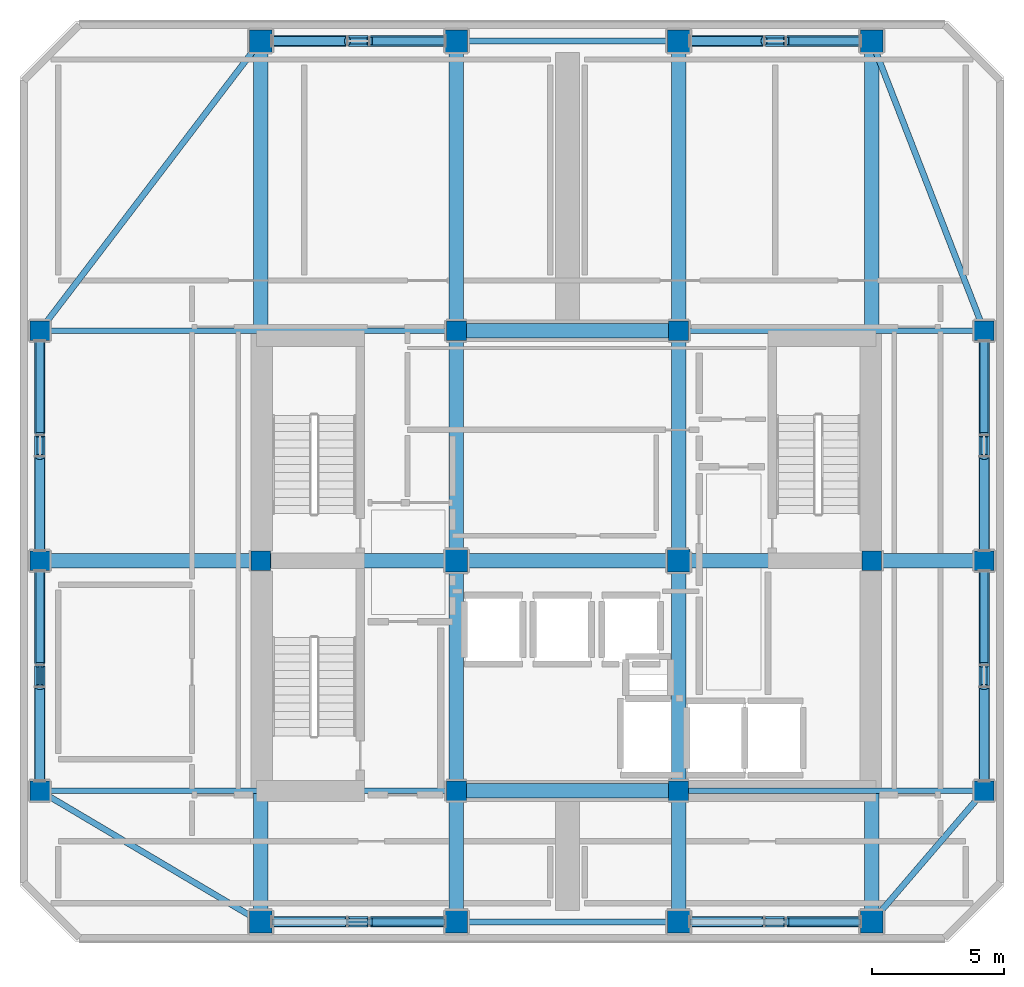
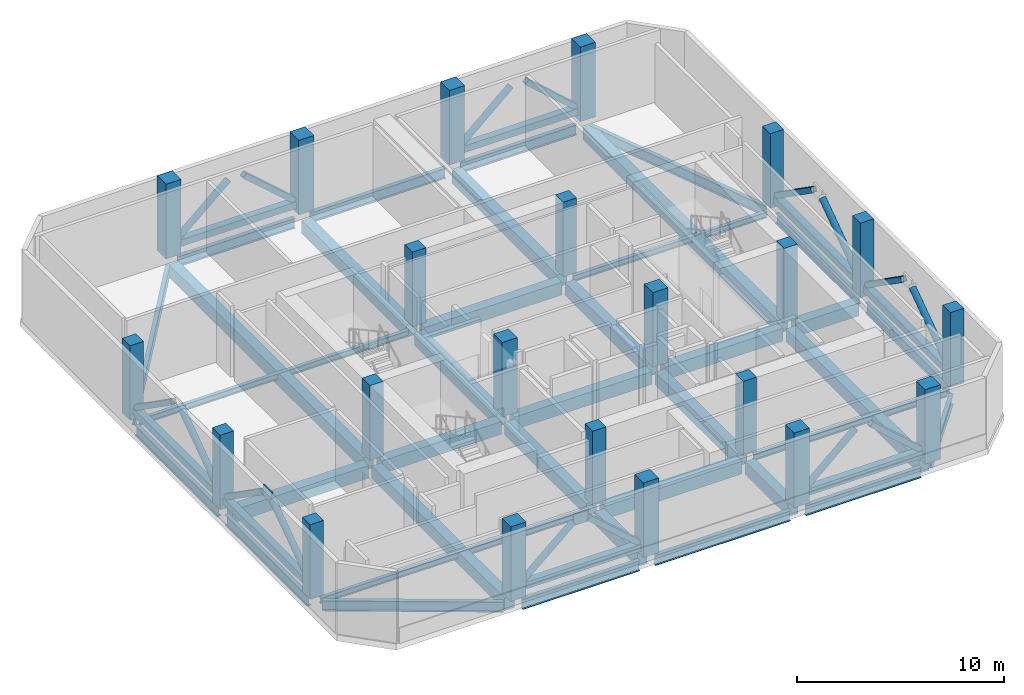
# One storey, part 1 of 13: 37 beams, 24 members, 22 columns, 2 plates.
"""IFC4 building model written with IfcOpenShell, lengths in metres."""

from ifc_helpers import new_model, si_unit, direction, frame, origin, origin_2d, place, context, subcontext, project, spatial, rectangle, hollow_rectangle, hollow_circle, i_section, extrude, material, layer, layer_set, material_profile, profile_set, type_object, element, save


model = new_model("IFC4")

# Units and contexts
model_context = context("Model", 3, precision=1e-05, world=origin(), true_north=direction((0.0, 1.0)))
body_context = subcontext(model_context, "Body", "Model", "MODEL_VIEW")
ifc_project = project(units=[si_unit("LENGTHUNIT", "METRE"), si_unit("AREAUNIT", "SQUARE_METRE"), si_unit("VOLUMEUNIT", "CUBIC_METRE"), si_unit("PLANEANGLEUNIT", "RADIAN"), si_unit("MASSUNIT", "GRAM", prefix="KILO")], contexts=[model_context])

# Site, building, storey
site_placement = place(None, origin())
site = spatial("IfcSite", under=ifc_project, at=site_placement, CompositionType="ELEMENT")
building_placement = place(site_placement, origin())
building = spatial("IfcBuilding", under=site, at=building_placement, Name="Solanera Arch Residences", CompositionType="ELEMENT")
storey_placement = place(building_placement, frame((0.0, 0.0, 257.840087890625)))
storey = spatial("IfcBuildingStorey", under=building, at=storey_placement, Name="L75", CompositionType="ELEMENT", Elevation=257.840087890625)

# Columns
ifc_material_1 = material(Name="Concrete C40/50 (f'c = 45 MPa)", Category="concrete")
ifc_material_profile_1 = material_profile(ifc_material_1, rectangle(XDim=0.75, YDim=0.75, at=origin_2d()))
ifc_profile_set_1 = profile_set([ifc_material_profile_1], Name="Concrete C40/50 (f'c = 45 MPa)")
column_type_1 = type_object("IfcColumnType", Name="Structural Column RC-COL-750X750", PredefinedType="COLUMN", material=ifc_profile_set_1)
for number, where, z_axis, x_axis, name in (
    (1, (20.800048828125, 22.0, 0.0), (0.0, 0.0, 1.0), (1.0, 0.0, 0.0), "COL-L75-CB-SW"),
    (2, (29.199951171875, 22.0, 0.0), (0.0, 0.0, 1.0), (1.0, 0.0, 0.0), "COL-L75-CB-SE"),
    (3, (20.800048828125, 39.39990234375, 0.0), (0.0, 0.0, 1.0), (1.0, 0.0, 0.0), "COL-L75-CB-NW"),
    (4, (29.199951171875, 39.39990234375, 0.0), (0.0, 0.0, 1.0), (1.0, 0.0, 0.0), "COL-L75-CB-NE"),
    (5, (13.39990234375, 30.699951171875, 0.0), (0.0, 0.0, 1.0), (1.0, 0.0, 0.0), "COL-L75-CB-WW"),
    (6, (36.5, 30.699951171875, 0.0), (0.0, 0.0, 1.0), (1.0, 0.0, 0.0), "COL-L75-CB-EE"),
    (7, (5.050048828125, 22.0, 0.0), (0.0, 0.0, 1.0), (1.0, 0.0, 0.0), "COL-L75-TWR-09"),
    (8, (40.75, 22.0, 0.0), (0.0, 0.0, 1.0), (1.0, 0.0, 0.0), "COL-L75-TWR-10"),
    (9, (5.050048828125, 30.699951171875, 0.0), (0.0, 0.0, 1.0), (1.0, 0.0, 0.0), "COL-L75-TWR-11"),
    (10, (40.75, 30.699951171875, 0.0), (0.0, 0.0, 1.0), (1.0, 0.0, 0.0), "COL-L75-TWR-12"),
    (11, (5.050048828125, 39.39990234375, 0.0), (0.0, 0.0, 1.0), (1.0, 0.0, 0.0), "COL-L75-TWR-13"),
    (12, (40.75, 39.39990234375, 0.0), (0.0, 0.0, 1.0), (1.0, 0.0, 0.0), "COL-L75-TWR-14"),
):
    element("IfcColumn", number, at=place(storey_placement, frame(where, z_axis=z_axis, x_axis=x_axis)), inside=storey, type_object=column_type_1, Name=name, PredefinedType="COLUMN", context=body_context, shape_type="SweptSolid", body=[
        extrude(rectangle(XDim=0.75, YDim=0.75, at=origin_2d()), origin(), (0.0, 0.0, 1.0), 4.39990234375),
    ])
ifc_material_2 = material(Name="Concrete C40/50 (f'c = 45 MPa)", Category="concrete")
ifc_material_profile_2 = material_profile(ifc_material_2, rectangle(XDim=0.85009765625, YDim=0.85009765625, at=origin_2d()))
ifc_profile_set_2 = profile_set([ifc_material_profile_2], Name="Concrete C40/50 (f'c = 45 MPa)")
column_type_2 = type_object("IfcColumnType", Name="Structural Column RC-COL-850X850", PredefinedType="COLUMN", material=ifc_profile_set_2)
for number, where, z_axis, x_axis, name in (
    (13, (20.800048828125, 30.699951171875, 0.0), (0.0, 0.0, 1.0), (1.0, 0.0, 0.0), "COL-L75-CORE-W"),
    (14, (29.199951171875, 30.699951171875, 0.0), (0.0, 0.0, 1.0), (1.0, 0.0, 0.0), "COL-L75-CORE-E"),
    (15, (13.39990234375, 17.050048828125, 0.0), (0.0, 0.0, 1.0), (1.0, 0.0, 0.0), "COL-L75-TWR-01"),
    (16, (13.39990234375, 50.35009765625, 0.0), (0.0, 0.0, 1.0), (1.0, 0.0, 0.0), "COL-L75-TWR-02"),
    (17, (20.800048828125, 17.050048828125, 0.0), (0.0, 0.0, 1.0), (1.0, 0.0, 0.0), "COL-L75-TWR-03"),
    (18, (20.800048828125, 50.35009765625, 0.0), (0.0, 0.0, 1.0), (1.0, 0.0, 0.0), "COL-L75-TWR-04"),
    (19, (29.199951171875, 17.050048828125, 0.0), (0.0, 0.0, 1.0), (1.0, 0.0, 0.0), "COL-L75-TWR-05"),
    (20, (29.199951171875, 50.35009765625, 0.0), (0.0, 0.0, 1.0), (1.0, 0.0, 0.0), "COL-L75-TWR-06"),
    (21, (36.5, 17.050048828125, 0.0), (0.0, 0.0, 1.0), (1.0, 0.0, 0.0), "COL-L75-TWR-07"),
    (22, (36.5, 50.35009765625, 0.0), (0.0, 0.0, 1.0), (1.0, 0.0, 0.0), "COL-L75-TWR-08"),
):
    element("IfcColumn", number, at=place(storey_placement, frame(where, z_axis=z_axis, x_axis=x_axis)), inside=storey, type_object=column_type_2, Name=name, PredefinedType="COLUMN", context=body_context, shape_type="SweptSolid", body=[
        extrude(rectangle(XDim=0.85009765625, YDim=0.85009765625, at=origin_2d()), origin(), (0.0, 0.0, 1.0), 4.39990234375),
    ])

# Members
ifc_material_3 = material(Name="Steel S355 (ASTM A992 / A572 Grade 50)", Category="steel")
ifc_material_profile_3 = material_profile(ifc_material_3, hollow_circle(Radius=0.177734375, WallThickness=0.012451171875, at=origin_2d()))
ifc_profile_set_3 = profile_set([ifc_material_profile_3], Name="Steel S355 (ASTM A992 / A572 Grade 50)")
member_type_1 = type_object("IfcMemberType", Name="Belt Brace CHS355.6X12.5", PredefinedType="BRACE", material=ifc_profile_set_3)
member_1_placement = place(storey_placement, frame((13.844970703125, 17.050048828125, 0.669921875), z_axis=(0.7530425107, 0.0, 0.65797186648), x_axis=(0.0, 1.0, 0.0)))
element("IfcMember", 23, at=member_1_placement, inside=storey, type_object=member_type_1, Name="L75 Belt Truss Diagonal 1A", PredefinedType="BRACE", context=body_context, shape_type="SweptSolid", body=[
    extrude(hollow_circle(Radius=0.177734375, WallThickness=0.012451171875, at=origin_2d()), origin(), (0.0, 0.0, 1.0), 3.7646484375),
])
member_2_placement = place(storey_placement, frame((29.64501953125, 17.050048828125, 0.669921875), z_axis=(0.747199669934, 0.0, 0.664599618756), x_axis=(0.0, 1.0, 0.0)))
element("IfcMember", 24, at=member_2_placement, inside=storey, type_object=member_type_1, Name="L75 Belt Truss Diagonal 2A", PredefinedType="BRACE", context=body_context, shape_type="SweptSolid", body=[
    extrude(hollow_circle(Radius=0.177734375, WallThickness=0.012451171875, at=origin_2d()), origin(), (0.0, 0.0, 1.0), 3.72705078125),
])
member_3_placement = place(storey_placement, frame((13.844970703125, 50.35009765625, 0.669921875), z_axis=(0.7530425107, 0.0, 0.65797186648), x_axis=(0.0, 1.0, 0.0)))
element("IfcMember", 25, at=member_3_placement, inside=storey, type_object=member_type_1, Name="L75 Belt Truss Diagonal 3A", PredefinedType="BRACE", context=body_context, shape_type="SweptSolid", body=[
    extrude(hollow_circle(Radius=0.177734375, WallThickness=0.012451171875, at=origin_2d()), origin(), (0.0, 0.0, 1.0), 3.7646484375),
])
member_4_placement = place(storey_placement, frame((29.64501953125, 50.35009765625, 0.669921875), z_axis=(0.747199669934, 0.0, 0.664599618756), x_axis=(0.0, 1.0, 0.0)))
element("IfcMember", 26, at=member_4_placement, inside=storey, type_object=member_type_1, Name="L75 Belt Truss Diagonal 4A", PredefinedType="BRACE", context=body_context, shape_type="SweptSolid", body=[
    extrude(hollow_circle(Radius=0.177734375, WallThickness=0.012451171875, at=origin_2d()), origin(), (0.0, 0.0, 1.0), 3.72705078125),
])
for number, where, z_axis, x_axis, name in (
    (27, (5.050048828125, 22.39501953125, 0.669921875), (0.0, 0.818947496142, 0.573868450573), (-1.0, 0.0, 0.0), "L75 Belt Truss Diagonal 5A"),
    (28, (5.050048828125, 31.094970703125, 0.669921875), (0.0, 0.818947496142, 0.573868450573), (-1.0, 0.0, 0.0), "L75 Belt Truss Diagonal 6A"),
    (29, (40.75, 22.39501953125, 0.669921875), (0.0, 0.818947496142, 0.573868450573), (-1.0, 0.0, 0.0), "L75 Belt Truss Diagonal 7A"),
    (30, (40.75, 31.094970703125, 0.669921875), (0.0, 0.818947496142, 0.573868450573), (-1.0, 0.0, 0.0), "L75 Belt Truss Diagonal 8A"),
):
    element("IfcMember", number, at=place(storey_placement, frame(where, z_axis=z_axis, x_axis=x_axis)), inside=storey, type_object=member_type_1, Name=name, PredefinedType="BRACE", context=body_context, shape_type="SweptSolid", body=[
        extrude(hollow_circle(Radius=0.177734375, WallThickness=0.012451171875, at=origin_2d()), origin(), (0.0, 0.0, 1.0), 4.31640625),
    ])
ifc_material_4 = material(Name="Steel S355 (ASTM A992 / A572 Grade 50)", Category="steel")
ifc_material_profile_4 = material_profile(ifc_material_4, hollow_rectangle(XDim=0.300048828125, YDim=0.300048828125, WallThickness=0.012451171875, at=origin_2d()))
ifc_profile_set_4 = profile_set([ifc_material_profile_4], Name="Steel S355 (ASTM A992 / A572 Grade 50)")
member_type_2 = type_object("IfcMemberType", Name="Belt Brace HSS300X300X12.5", PredefinedType="BRACE", material=ifc_profile_set_4)
member_5_placement = place(storey_placement, frame((20.35498046875, 17.050048828125, 0.669921875), z_axis=(-0.7530425107, 0.0, 0.65797186648), x_axis=(0.0, -1.0, 0.0)))
element("IfcMember", 31, at=member_5_placement, inside=storey, type_object=member_type_2, Name="L75 Belt Truss Diagonal 1B", PredefinedType="BRACE", context=body_context, shape_type="SweptSolid", body=[
    extrude(hollow_rectangle(XDim=0.300048828125, YDim=0.300048828125, WallThickness=0.012451171875, at=origin_2d()), origin(), (0.0, 0.0, 1.0), 3.7646484375),
])
member_6_placement = place(storey_placement, frame((36.054931640625, 17.050048828125, 0.669921875), z_axis=(-0.747199669934, 0.0, 0.664599618756), x_axis=(0.0, -1.0, 0.0)))
element("IfcMember", 32, at=member_6_placement, inside=storey, type_object=member_type_2, Name="L75 Belt Truss Diagonal 2B", PredefinedType="BRACE", context=body_context, shape_type="SweptSolid", body=[
    extrude(hollow_rectangle(XDim=0.300048828125, YDim=0.300048828125, WallThickness=0.012451171875, at=origin_2d()), origin(), (0.0, 0.0, 1.0), 3.72705078125),
])
member_7_placement = place(storey_placement, frame((20.35498046875, 50.35009765625, 0.669921875), z_axis=(-0.7530425107, 0.0, 0.65797186648), x_axis=(0.0, -1.0, 0.0)))
element("IfcMember", 33, at=member_7_placement, inside=storey, type_object=member_type_2, Name="L75 Belt Truss Diagonal 3B", PredefinedType="BRACE", context=body_context, shape_type="SweptSolid", body=[
    extrude(hollow_rectangle(XDim=0.300048828125, YDim=0.300048828125, WallThickness=0.012451171875, at=origin_2d()), origin(), (0.0, 0.0, 1.0), 3.7646484375),
])
member_8_placement = place(storey_placement, frame((36.054931640625, 50.35009765625, 0.669921875), z_axis=(-0.747199669934, 0.0, 0.664599618756), x_axis=(0.0, -1.0, 0.0)))
element("IfcMember", 34, at=member_8_placement, inside=storey, type_object=member_type_2, Name="L75 Belt Truss Diagonal 4B", PredefinedType="BRACE", context=body_context, shape_type="SweptSolid", body=[
    extrude(hollow_rectangle(XDim=0.300048828125, YDim=0.300048828125, WallThickness=0.012451171875, at=origin_2d()), origin(), (0.0, 0.0, 1.0), 3.72705078125),
])
for number, where, z_axis, x_axis, name in (
    (35, (5.050048828125, 30.304931640625, 0.669921875), (0.0, -0.818947496142, 0.573868450573), (1.0, 0.0, 0.0), "L75 Belt Truss Diagonal 5B"),
    (36, (5.050048828125, 39.0048828125, 0.669921875), (0.0, -0.818947496142, 0.573868450573), (1.0, 0.0, 0.0), "L75 Belt Truss Diagonal 6B"),
    (37, (40.75, 30.304931640625, 0.669921875), (0.0, -0.818947496142, 0.573868450573), (1.0, 0.0, 0.0), "L75 Belt Truss Diagonal 7B"),
    (38, (40.75, 39.0048828125, 0.669921875), (0.0, -0.818947496142, 0.573868450573), (1.0, 0.0, 0.0), "L75 Belt Truss Diagonal 8B"),
):
    element("IfcMember", number, at=place(storey_placement, frame(where, z_axis=z_axis, x_axis=x_axis)), inside=storey, type_object=member_type_2, Name=name, PredefinedType="BRACE", context=body_context, shape_type="SweptSolid", body=[
        extrude(hollow_rectangle(XDim=0.300048828125, YDim=0.300048828125, WallThickness=0.012451171875, at=origin_2d()), origin(), (0.0, 0.0, 1.0), 4.31640625),
    ])

# Beams
ifc_material_5 = material(Name="Concrete C40/50 (f'c = 45 MPa)", Category="concrete")
ifc_material_profile_5 = material_profile(ifc_material_5, rectangle(XDim=0.550048828125, YDim=0.75, at=origin_2d()))
ifc_profile_set_5 = profile_set([ifc_material_profile_5], Name="Concrete C40/50 (f'c = 45 MPa)")
beam_type_1 = type_object("IfcBeamType", Name="Primary Beam RC-BM-550X750", PredefinedType="BEAM", material=ifc_profile_set_5)
beam_1_placement = place(storey_placement, frame((20.800048828125, 22.37890625, -0.735107421875), z_axis=(0.0, 1.0, 0.0), x_axis=(-1.0, 0.0, 0.0)))
element("IfcBeam", 39, at=beam_1_placement, inside=storey, type_object=beam_type_1, Name="BM-L75-CC-S-208", PredefinedType="BEAM", context=body_context, shape_type="SweptSolid", body=[
    extrude(rectangle(XDim=0.550048828125, YDim=0.75, at=origin_2d()), origin(), (0.0, 0.0, 1.0), 7.942138671875),
])
beam_2_placement = place(storey_placement, frame((20.800048828125, 31.0791015625, -0.735107421875), z_axis=(0.0, 1.0, 0.0), x_axis=(-1.0, 0.0, 0.0)))
element("IfcBeam", 40, at=beam_2_placement, inside=storey, type_object=beam_type_1, Name="BM-L75-CC-N-208", PredefinedType="BEAM", context=body_context, shape_type="SweptSolid", body=[
    extrude(rectangle(XDim=0.550048828125, YDim=0.75, at=origin_2d()), origin(), (0.0, 0.0, 1.0), 7.94189453125),
])
beam_3_placement = place(storey_placement, frame((29.199951171875, 22.37890625, -0.735107421875), z_axis=(0.0, 1.0, 0.0), x_axis=(-1.0, 0.0, 0.0)))
element("IfcBeam", 41, at=beam_3_placement, inside=storey, type_object=beam_type_1, Name="BM-L75-CC-S-292", PredefinedType="BEAM", context=body_context, shape_type="SweptSolid", body=[
    extrude(rectangle(XDim=0.550048828125, YDim=0.75, at=origin_2d()), origin(), (0.0, 0.0, 1.0), 7.942138671875),
])
beam_4_placement = place(storey_placement, frame((29.199951171875, 31.0791015625, -0.735107421875), z_axis=(0.0, 1.0, 0.0), x_axis=(-1.0, 0.0, 0.0)))
element("IfcBeam", 42, at=beam_4_placement, inside=storey, type_object=beam_type_1, Name="BM-L75-CC-N-292", PredefinedType="BEAM", context=body_context, shape_type="SweptSolid", body=[
    extrude(rectangle(XDim=0.550048828125, YDim=0.75, at=origin_2d()), origin(), (0.0, 0.0, 1.0), 7.94189453125),
])
for number, where, z_axis, x_axis, name in (
    (43, (21.178955078125, 22.0, -0.735107421875), (1.0, 0.0, 0.0), (0.0, 1.0, 0.0), "BM-L75-CC-M-220"),
    (44, (21.178955078125, 30.699951171875, -0.735107421875), (1.0, 0.0, 0.0), (0.0, 1.0, 0.0), "BM-L75-CC-M-307"),
    (45, (21.178955078125, 39.39990234375, -0.735107421875), (1.0, 0.0, 0.0), (0.0, 1.0, 0.0), "BM-L75-CC-M-394"),
):
    element("IfcBeam", number, at=place(storey_placement, frame(where, z_axis=z_axis, x_axis=x_axis)), inside=storey, type_object=beam_type_1, Name=name, PredefinedType="BEAM", context=body_context, shape_type="SweptSolid", body=[
        extrude(rectangle(XDim=0.550048828125, YDim=0.75, at=origin_2d()), origin(), (0.0, 0.0, 1.0), 7.64208984375),
    ])
beam_5_placement = place(storey_placement, frame((13.779052734375, 30.699951171875, -0.735107421875), z_axis=(1.0, 0.0, 0.0), x_axis=(0.0, 1.0, 0.0)))
element("IfcBeam", 46, at=beam_5_placement, inside=storey, type_object=beam_type_1, Name="BM-L75-CC-W", PredefinedType="BEAM", context=body_context, shape_type="SweptSolid", body=[
    extrude(rectangle(XDim=0.550048828125, YDim=0.75, at=origin_2d()), origin(), (0.0, 0.0, 1.0), 6.641845703125),
])
beam_6_placement = place(storey_placement, frame((29.5791015625, 30.699951171875, -0.735107421875), z_axis=(1.0, 0.0, 0.0), x_axis=(0.0, 1.0, 0.0)))
element("IfcBeam", 47, at=beam_6_placement, inside=storey, type_object=beam_type_1, Name="BM-L75-CC-E", PredefinedType="BEAM", context=body_context, shape_type="SweptSolid", body=[
    extrude(rectangle(XDim=0.550048828125, YDim=0.75, at=origin_2d()), origin(), (0.0, 0.0, 1.0), 6.5419921875),
])
beam_7_placement = place(storey_placement, frame((20.800048828125, 17.47900390625, -0.735107421875), z_axis=(0.0, 1.0, 0.0), x_axis=(-1.0, 0.0, 0.0)))
element("IfcBeam", 48, at=beam_7_placement, inside=storey, type_object=beam_type_1, Name="BM-L75-RAD-S-208", PredefinedType="BEAM", context=body_context, shape_type="SweptSolid", body=[
    extrude(rectangle(XDim=0.550048828125, YDim=0.75, at=origin_2d()), origin(), (0.0, 0.0, 1.0), 4.14208984375),
])
beam_8_placement = place(storey_placement, frame((20.800048828125, 39.779052734375, -0.735107421875), z_axis=(0.0, 1.0, 0.0), x_axis=(-1.0, 0.0, 0.0)))
element("IfcBeam", 49, at=beam_8_placement, inside=storey, type_object=beam_type_1, Name="BM-L75-RAD-N-208", PredefinedType="BEAM", context=body_context, shape_type="SweptSolid", body=[
    extrude(rectangle(XDim=0.550048828125, YDim=0.75, at=origin_2d()), origin(), (0.0, 0.0, 1.0), 10.141845703125),
])
beam_9_placement = place(storey_placement, frame((29.199951171875, 17.47900390625, -0.735107421875), z_axis=(0.0, 1.0, 0.0), x_axis=(-1.0, 0.0, 0.0)))
element("IfcBeam", 50, at=beam_9_placement, inside=storey, type_object=beam_type_1, Name="BM-L75-RAD-S-292", PredefinedType="BEAM", context=body_context, shape_type="SweptSolid", body=[
    extrude(rectangle(XDim=0.550048828125, YDim=0.75, at=origin_2d()), origin(), (0.0, 0.0, 1.0), 4.14208984375),
])
beam_10_placement = place(storey_placement, frame((29.199951171875, 39.779052734375, -0.735107421875), z_axis=(0.0, 1.0, 0.0), x_axis=(-1.0, 0.0, 0.0)))
element("IfcBeam", 51, at=beam_10_placement, inside=storey, type_object=beam_type_1, Name="BM-L75-RAD-N-292", PredefinedType="BEAM", context=body_context, shape_type="SweptSolid", body=[
    extrude(rectangle(XDim=0.550048828125, YDim=0.75, at=origin_2d()), origin(), (0.0, 0.0, 1.0), 10.141845703125),
])
beam_11_placement = place(storey_placement, frame((13.39990234375, 17.47900390625, -0.735107421875), z_axis=(0.0, 1.0, 0.0), x_axis=(-1.0, 0.0, 0.0)))
element("IfcBeam", 52, at=beam_11_placement, inside=storey, type_object=beam_type_1, Name="BM-L75-RAD-OS-134", PredefinedType="BEAM", context=body_context, shape_type="SweptSolid", body=[
    extrude(rectangle(XDim=0.550048828125, YDim=0.75, at=origin_2d()), origin(), (0.0, 0.0, 1.0), 12.842041015625),
])
beam_12_placement = place(storey_placement, frame((13.39990234375, 31.0791015625, -0.735107421875), z_axis=(0.0, 1.0, 0.0), x_axis=(-1.0, 0.0, 0.0)))
element("IfcBeam", 53, at=beam_12_placement, inside=storey, type_object=beam_type_1, Name="BM-L75-RAD-ON-134", PredefinedType="BEAM", context=body_context, shape_type="SweptSolid", body=[
    extrude(rectangle(XDim=0.550048828125, YDim=0.75, at=origin_2d()), origin(), (0.0, 0.0, 1.0), 18.841796875),
])
beam_13_placement = place(storey_placement, frame((36.5, 17.47900390625, -0.735107421875), z_axis=(0.0, 1.0, 0.0), x_axis=(-1.0, 0.0, 0.0)))
element("IfcBeam", 54, at=beam_13_placement, inside=storey, type_object=beam_type_1, Name="BM-L75-RAD-OS-365", PredefinedType="BEAM", context=body_context, shape_type="SweptSolid", body=[
    extrude(rectangle(XDim=0.550048828125, YDim=0.75, at=origin_2d()), origin(), (0.0, 0.0, 1.0), 12.842041015625),
])
beam_14_placement = place(storey_placement, frame((36.5, 31.0791015625, -0.735107421875), z_axis=(0.0, 1.0, 0.0), x_axis=(-1.0, 0.0, 0.0)))
element("IfcBeam", 55, at=beam_14_placement, inside=storey, type_object=beam_type_1, Name="BM-L75-RAD-ON-365", PredefinedType="BEAM", context=body_context, shape_type="SweptSolid", body=[
    extrude(rectangle(XDim=0.550048828125, YDim=0.75, at=origin_2d()), origin(), (0.0, 0.0, 1.0), 18.841796875),
])
beam_15_placement = place(storey_placement, frame((5.428955078125, 30.699951171875, -0.735107421875), z_axis=(1.0, 0.0, 0.0), x_axis=(0.0, 1.0, 0.0)))
element("IfcBeam", 56, at=beam_15_placement, inside=storey, type_object=beam_type_1, Name="BM-L75-RAD-MW", PredefinedType="BEAM", context=body_context, shape_type="SweptSolid", body=[
    extrude(rectangle(XDim=0.550048828125, YDim=0.75, at=origin_2d()), origin(), (0.0, 0.0, 1.0), 7.592041015625),
])
beam_16_placement = place(storey_placement, frame((36.87890625, 30.699951171875, -0.735107421875), z_axis=(1.0, 0.0, 0.0), x_axis=(0.0, 1.0, 0.0)))
element("IfcBeam", 57, at=beam_16_placement, inside=storey, type_object=beam_type_1, Name="BM-L75-RAD-ME", PredefinedType="BEAM", context=body_context, shape_type="SweptSolid", body=[
    extrude(rectangle(XDim=0.550048828125, YDim=0.75, at=origin_2d()), origin(), (0.0, 0.0, 1.0), 3.4921875),
])
ifc_material_6 = material(Name="Steel S355 (ASTM A992 / A572 Grade 50)", Category="steel")
ifc_material_profile_6 = material_profile(ifc_material_6, i_section(OverallWidth=0.205078125, OverallDepth=0.35400390625, WebThickness=0.009521484375, FlangeThickness=0.016845703125, at=origin_2d()))
ifc_profile_set_6 = profile_set([ifc_material_profile_6], Name="Steel S355 (ASTM A992 / A572 Grade 50)")
beam_type_2 = type_object("IfcBeamType", Name="Secondary Joist W360X79", PredefinedType="JOIST", material=ifc_profile_set_6)
beam_17_placement = place(storey_placement, frame((5.428955078125, 22.0, -0.537109375), z_axis=(1.0, 0.0, 0.0), x_axis=(0.0, 1.0, 0.0)))
element("IfcBeam", 58, at=beam_17_placement, inside=storey, type_object=beam_type_2, Name="BM-L75-RAD-W-220", PredefinedType="JOIST", context=body_context, shape_type="SweptSolid", body=[
    extrude(i_section(OverallWidth=0.205078125, OverallDepth=0.35400390625, WebThickness=0.009521484375, FlangeThickness=0.016845703125, at=origin_2d()), origin(), (0.0, 0.0, 1.0), 14.991943359375),
])
beam_18_placement = place(storey_placement, frame((29.5791015625, 22.0, -0.537109375), z_axis=(1.0, 0.0, 0.0), x_axis=(0.0, 1.0, 0.0)))
element("IfcBeam", 59, at=beam_18_placement, inside=storey, type_object=beam_type_2, Name="BM-L75-RAD-E-220", PredefinedType="JOIST", context=body_context, shape_type="SweptSolid", body=[
    extrude(i_section(OverallWidth=0.205078125, OverallDepth=0.35400390625, WebThickness=0.009521484375, FlangeThickness=0.016845703125, at=origin_2d()), origin(), (0.0, 0.0, 1.0), 10.7919921875),
])
beam_19_placement = place(storey_placement, frame((5.428955078125, 39.39990234375, -0.537109375), z_axis=(1.0, 0.0, 0.0), x_axis=(0.0, 1.0, 0.0)))
element("IfcBeam", 60, at=beam_19_placement, inside=storey, type_object=beam_type_2, Name="BM-L75-RAD-W-394", PredefinedType="JOIST", context=body_context, shape_type="SweptSolid", body=[
    extrude(i_section(OverallWidth=0.205078125, OverallDepth=0.35400390625, WebThickness=0.009521484375, FlangeThickness=0.016845703125, at=origin_2d()), origin(), (0.0, 0.0, 1.0), 14.991943359375),
])
beam_20_placement = place(storey_placement, frame((29.5791015625, 39.39990234375, -0.537109375), z_axis=(1.0, 0.0, 0.0), x_axis=(0.0, 1.0, 0.0)))
element("IfcBeam", 61, at=beam_20_placement, inside=storey, type_object=beam_type_2, Name="BM-L75-RAD-E-394", PredefinedType="JOIST", context=body_context, shape_type="SweptSolid", body=[
    extrude(i_section(OverallWidth=0.205078125, OverallDepth=0.35400390625, WebThickness=0.009521484375, FlangeThickness=0.016845703125, at=origin_2d()), origin(), (0.0, 0.0, 1.0), 10.7919921875),
])
ifc_material_7 = material(Name="Steel S355 (ASTM A992 / A572 Grade 50)", Category="steel")
ifc_material_profile_7 = material_profile(ifc_material_7, i_section(OverallWidth=0.22802734375, OverallDepth=0.60791015625, WebThickness=0.01123046875, FlangeThickness=0.017333984375, at=origin_2d()))
ifc_profile_set_7 = profile_set([ifc_material_profile_7], Name="Steel S355 (ASTM A992 / A572 Grade 50)")
beam_type_3 = type_object("IfcBeamType", Name="Spandrel Beam W610X113", PredefinedType="SPANDREL", material=ifc_profile_set_7)
for number, where, z_axis, x_axis, name in (
    (62, (13.8291015625, 17.050048828125, -0.6640625), (1.0, 0.0, 0.0), (0.0, 1.0, 0.0), "BM-L75-SPN-S-1"),
    (63, (13.8291015625, 50.35009765625, -0.6640625), (1.0, 0.0, 0.0), (0.0, 1.0, 0.0), "BM-L75-SPN-N-1"),
):
    element("IfcBeam", number, at=place(storey_placement, frame(where, z_axis=z_axis, x_axis=x_axis)), inside=storey, type_object=beam_type_3, Name=name, PredefinedType="SPANDREL", context=body_context, shape_type="SweptSolid", body=[
        extrude(i_section(OverallWidth=0.22802734375, OverallDepth=0.60791015625, WebThickness=0.01123046875, FlangeThickness=0.017333984375, at=origin_2d()), origin(), (0.0, 0.0, 1.0), 6.5419921875),
    ])
for number, where, z_axis, x_axis, name in (
    (64, (21.22900390625, 17.050048828125, -0.6640625), (1.0, 0.0, 0.0), (0.0, 1.0, 0.0), "BM-L75-SPN-S-2"),
    (65, (21.22900390625, 50.35009765625, -0.6640625), (1.0, 0.0, 0.0), (0.0, 1.0, 0.0), "BM-L75-SPN-N-2"),
):
    element("IfcBeam", number, at=place(storey_placement, frame(where, z_axis=z_axis, x_axis=x_axis)), inside=storey, type_object=beam_type_3, Name=name, PredefinedType="SPANDREL", context=body_context, shape_type="SweptSolid", body=[
        extrude(i_section(OverallWidth=0.22802734375, OverallDepth=0.60791015625, WebThickness=0.01123046875, FlangeThickness=0.017333984375, at=origin_2d()), origin(), (0.0, 0.0, 1.0), 7.5419921875),
    ])
for number, where, z_axis, x_axis, name in (
    (66, (29.62890625, 17.050048828125, -0.6640625), (1.0, 0.0, 0.0), (0.0, 1.0, 0.0), "BM-L75-SPN-S-3"),
    (67, (29.62890625, 50.35009765625, -0.6640625), (1.0, 0.0, 0.0), (0.0, 1.0, 0.0), "BM-L75-SPN-N-3"),
):
    element("IfcBeam", number, at=place(storey_placement, frame(where, z_axis=z_axis, x_axis=x_axis)), inside=storey, type_object=beam_type_3, Name=name, PredefinedType="SPANDREL", context=body_context, shape_type="SweptSolid", body=[
        extrude(i_section(OverallWidth=0.22802734375, OverallDepth=0.60791015625, WebThickness=0.01123046875, FlangeThickness=0.017333984375, at=origin_2d()), origin(), (0.0, 0.0, 1.0), 6.442138671875),
    ])
for number, where, z_axis, x_axis, name in (
    (68, (5.050048828125, 22.37890625, -0.6640625), (0.0, 1.0, 0.0), (-1.0, 0.0, 0.0), "BM-L75-SPN-W-1"),
    (69, (40.75, 22.37890625, -0.6640625), (0.0, 1.0, 0.0), (-1.0, 0.0, 0.0), "BM-L75-SPN-E-1"),
):
    element("IfcBeam", number, at=place(storey_placement, frame(where, z_axis=z_axis, x_axis=x_axis)), inside=storey, type_object=beam_type_3, Name=name, PredefinedType="SPANDREL", context=body_context, shape_type="SweptSolid", body=[
        extrude(i_section(OverallWidth=0.22802734375, OverallDepth=0.60791015625, WebThickness=0.01123046875, FlangeThickness=0.017333984375, at=origin_2d()), origin(), (0.0, 0.0, 1.0), 7.942138671875),
    ])
for number, where, z_axis, x_axis, name in (
    (70, (5.050048828125, 31.0791015625, -0.6640625), (0.0, 1.0, 0.0), (-1.0, 0.0, 0.0), "BM-L75-SPN-W-2"),
    (71, (40.75, 31.0791015625, -0.6640625), (0.0, 1.0, 0.0), (-1.0, 0.0, 0.0), "BM-L75-SPN-E-2"),
):
    element("IfcBeam", number, at=place(storey_placement, frame(where, z_axis=z_axis, x_axis=x_axis)), inside=storey, type_object=beam_type_3, Name=name, PredefinedType="SPANDREL", context=body_context, shape_type="SweptSolid", body=[
        extrude(i_section(OverallWidth=0.22802734375, OverallDepth=0.60791015625, WebThickness=0.01123046875, FlangeThickness=0.017333984375, at=origin_2d()), origin(), (0.0, 0.0, 1.0), 7.94189453125),
    ])
beam_21_placement = place(storey_placement, frame((12.971923828125, 17.303955078125, -0.6640625), z_axis=(-0.860219624606, 0.509923717278, 0.0), x_axis=(-0.509923717278, -0.860219624606, 0.0)))
element("IfcBeam", 72, at=beam_21_placement, inside=storey, type_object=beam_type_3, Name="BM-L75-SPN-SW", PredefinedType="SPANDREL", context=body_context, shape_type="SweptSolid", body=[
    extrude(i_section(OverallWidth=0.22802734375, OverallDepth=0.60791015625, WebThickness=0.01123046875, FlangeThickness=0.017333984375, at=origin_2d()), origin(), (0.0, 0.0, 1.0), 8.769775390625),
])
beam_22_placement = place(storey_placement, frame((13.072998046875, 49.922119140625, -0.6640625), z_axis=(-0.606356271812, -0.795193103362, 0.0), x_axis=(0.795193103362, -0.606356271812, 0.0)))
element("IfcBeam", 73, at=beam_22_placement, inside=storey, type_object=beam_type_3, Name="BM-L75-SPN-NW", PredefinedType="SPANDREL", context=body_context, shape_type="SweptSolid", body=[
    extrude(i_section(OverallWidth=0.22802734375, OverallDepth=0.60791015625, WebThickness=0.01123046875, FlangeThickness=0.017333984375, at=origin_2d()), origin(), (0.0, 0.0, 1.0), 12.756591796875),
])
beam_23_placement = place(storey_placement, frame((36.85205078125, 17.4599609375, -0.6640625), z_axis=(0.651366641781, 0.758763136937, 0.0), x_axis=(-0.758763136937, 0.651366641781, 0.0)))
element("IfcBeam", 74, at=beam_23_placement, inside=storey, type_object=beam_type_3, Name="BM-L75-SPN-SE", PredefinedType="SPANDREL", context=body_context, shape_type="SweptSolid", body=[
    extrude(i_section(OverallWidth=0.22802734375, OverallDepth=0.60791015625, WebThickness=0.01123046875, FlangeThickness=0.017333984375, at=origin_2d()), origin(), (0.0, 0.0, 1.0), 5.4853515625),
])
beam_24_placement = place(storey_placement, frame((36.666015625, 49.9208984375, -0.6640625), z_axis=(0.361884146567, -0.932223076556, 0.0), x_axis=(0.932223076556, 0.361884146567, 0.0)))
element("IfcBeam", 75, at=beam_24_placement, inside=storey, type_object=beam_type_3, Name="BM-L75-SPN-NE", PredefinedType="SPANDREL", context=body_context, shape_type="SweptSolid", body=[
    extrude(i_section(OverallWidth=0.22802734375, OverallDepth=0.60791015625, WebThickness=0.01123046875, FlangeThickness=0.017333984375, at=origin_2d()), origin(), (0.0, 0.0, 1.0), 10.879150390625),
])

# Members
ifc_material_8 = material(Name="Steel S355 (ASTM A992 / A572 Grade 50)", Category="steel")
ifc_material_profile_8 = material_profile(ifc_material_8, hollow_rectangle(XDim=0.39990234375, YDim=0.39990234375, WallThickness=0.01611328125, at=origin_2d()))
ifc_profile_set_8 = profile_set([ifc_material_profile_8], Name="Steel S355 (ASTM A992 / A572 Grade 50)")
member_type_3 = type_object("IfcMemberType", Name="Truss Chord HSS400X400X16", PredefinedType="CHORD", material=ifc_profile_set_8)
member_9_placement = place(storey_placement, frame((13.824951171875, 17.050048828125, 0.449951171875), z_axis=(1.0, 0.0, 0.0), x_axis=(0.0, 1.0, 0.0)))
element("IfcMember", 76, at=member_9_placement, inside=storey, type_object=member_type_3, Name="L75 Belt Truss Chord 1", PredefinedType="CHORD", context=body_context, shape_type="SweptSolid", body=[
    extrude(hollow_rectangle(XDim=0.39990234375, YDim=0.39990234375, WallThickness=0.01611328125, at=origin_2d()), origin(), (0.0, 0.0, 1.0), 6.550048828125),
])
member_10_placement = place(storey_placement, frame((29.625, 17.050048828125, 0.449951171875), z_axis=(1.0, 0.0, 0.0), x_axis=(0.0, 1.0, 0.0)))
element("IfcMember", 77, at=member_10_placement, inside=storey, type_object=member_type_3, Name="L75 Belt Truss Chord 2", PredefinedType="CHORD", context=body_context, shape_type="SweptSolid", body=[
    extrude(hollow_rectangle(XDim=0.39990234375, YDim=0.39990234375, WallThickness=0.01611328125, at=origin_2d()), origin(), (0.0, 0.0, 1.0), 6.449951171875),
])
member_11_placement = place(storey_placement, frame((13.824951171875, 50.35009765625, 0.449951171875), z_axis=(1.0, 0.0, 0.0), x_axis=(0.0, 1.0, 0.0)))
element("IfcMember", 78, at=member_11_placement, inside=storey, type_object=member_type_3, Name="L75 Belt Truss Chord 3", PredefinedType="CHORD", context=body_context, shape_type="SweptSolid", body=[
    extrude(hollow_rectangle(XDim=0.39990234375, YDim=0.39990234375, WallThickness=0.01611328125, at=origin_2d()), origin(), (0.0, 0.0, 1.0), 6.550048828125),
])
member_12_placement = place(storey_placement, frame((29.625, 50.35009765625, 0.449951171875), z_axis=(1.0, 0.0, 0.0), x_axis=(0.0, 1.0, 0.0)))
element("IfcMember", 79, at=member_12_placement, inside=storey, type_object=member_type_3, Name="L75 Belt Truss Chord 4", PredefinedType="CHORD", context=body_context, shape_type="SweptSolid", body=[
    extrude(hollow_rectangle(XDim=0.39990234375, YDim=0.39990234375, WallThickness=0.01611328125, at=origin_2d()), origin(), (0.0, 0.0, 1.0), 6.449951171875),
])
for number, where, z_axis, x_axis, name in (
    (80, (5.050048828125, 22.375, 0.449951171875), (0.0, 1.0, 0.0), (-1.0, 0.0, 0.0), "L75 Belt Truss Chord 5"),
    (81, (5.050048828125, 31.074951171875, 0.449951171875), (0.0, 1.0, 0.0), (-1.0, 0.0, 0.0), "L75 Belt Truss Chord 6"),
    (82, (40.75, 22.375, 0.449951171875), (0.0, 1.0, 0.0), (-1.0, 0.0, 0.0), "L75 Belt Truss Chord 7"),
    (83, (40.75, 31.074951171875, 0.449951171875), (0.0, 1.0, 0.0), (-1.0, 0.0, 0.0), "L75 Belt Truss Chord 8"),
):
    element("IfcMember", number, at=place(storey_placement, frame(where, z_axis=z_axis, x_axis=x_axis)), inside=storey, type_object=member_type_3, Name=name, PredefinedType="CHORD", context=body_context, shape_type="SweptSolid", body=[
        extrude(hollow_rectangle(XDim=0.39990234375, YDim=0.39990234375, WallThickness=0.01611328125, at=origin_2d()), origin(), (0.0, 0.0, 1.0), 7.949951171875),
    ])

# Plates
ifc_material_9 = material(Name="Steel S355 (ASTM A992 / A572 Grade 50)", Category="steel")
ifc_layer = layer(ifc_material_9, 0.080078125)
ifc_layer_set = layer_set([ifc_layer], Name="Steel S355 (ASTM A992 / A572 Grade 50)")
plate_type = type_object("IfcPlateType", Name="Gusset Plate GP-80B", PredefinedType="USERDEFINED", material=ifc_layer_set)
plate_1_placement = place(storey_placement, frame((17.10009765625, 17.050048828125, 2.921875), z_axis=(0.0, 0.0, 1.0), x_axis=(1.0, 0.0, 0.0)))
element("IfcPlate", 84, at=plate_1_placement, inside=storey, type_object=plate_type, Name="L75 Belt Truss Apex Gusset GP-80 1", ObjectType="GUSSET", PredefinedType="USERDEFINED", context=body_context, shape_type="SweptSolid", body=[
    extrude(rectangle(XDim=0.800048828125, YDim=0.080078125, at=origin_2d()), origin(), (0.0, 0.0, 1.0), 0.64990234375),
])
plate_2_placement = place(storey_placement, frame((5.050048828125, 26.35009765625, 2.921875), z_axis=(0.0, 0.0, 1.0), x_axis=(1.0, 0.0, 0.0)))
element("IfcPlate", 85, at=plate_2_placement, inside=storey, type_object=plate_type, Name="L75 Belt Truss Apex Gusset GP-80 5", ObjectType="GUSSET", PredefinedType="USERDEFINED", context=body_context, shape_type="SweptSolid", body=[
    extrude(rectangle(XDim=0.080078125, YDim=0.800048828125, at=origin_2d()), origin(), (0.0, 0.0, 1.0), 0.64990234375),
])

save(model, "model.ifc")
